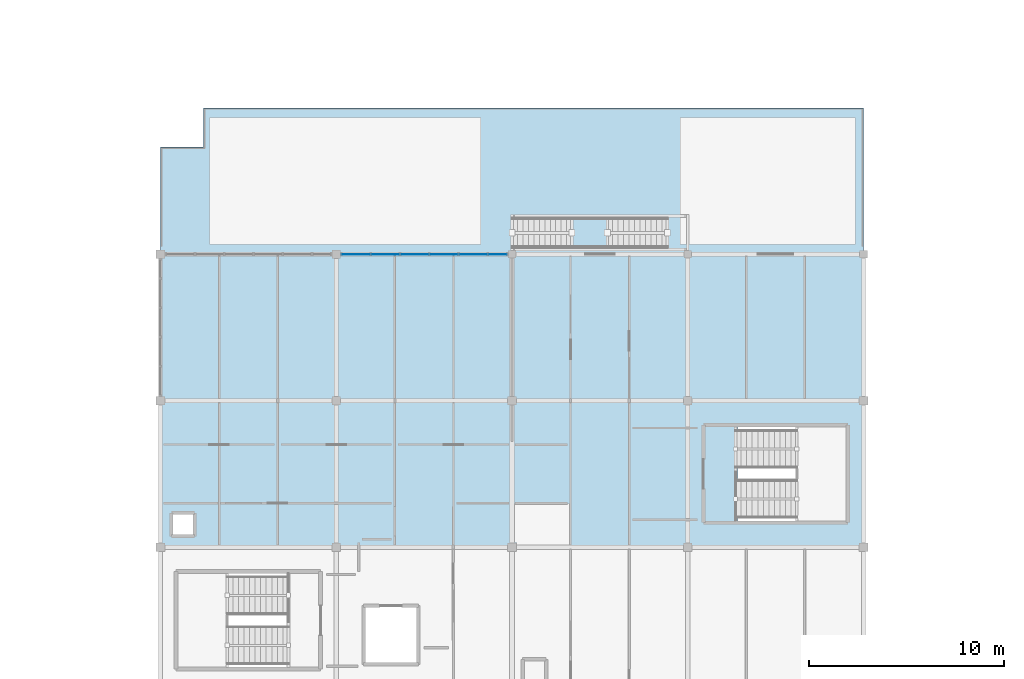
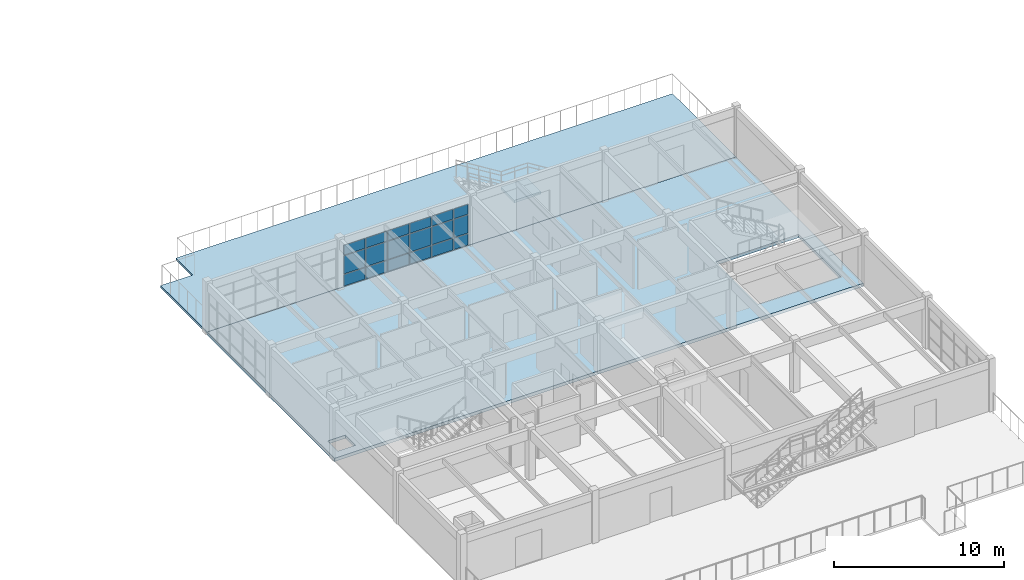
# One storey, part 30 of 45: 18 plates, 3 slabs, 2 elements without a shape of their own.
"""IFC4 building model written with IfcOpenShell, lengths in metres."""

from ifc_helpers import new_model, si_unit, direction, frame, origin, origin_2d, place, context, subcontext, project, spatial, polyline, rectangle, outline, extrude, material, layer, layer_set, type_object, element, aggregate, save


model = new_model("IFC4")

# Units and contexts
model_context = context("Model", 3, precision=1e-05, world=origin(), true_north=direction((0.0, 1.0)))
body_context = subcontext(model_context, "Body", "Model", "MODEL_VIEW")
ifc_project = project(units=[si_unit("LENGTHUNIT", "METRE"), si_unit("AREAUNIT", "SQUARE_METRE"), si_unit("VOLUMEUNIT", "CUBIC_METRE"), si_unit("PLANEANGLEUNIT", "RADIAN"), si_unit("MASSUNIT", "GRAM", prefix="KILO")], contexts=[model_context])

# Site, building, storey
site_placement = place(None, origin())
site = spatial("IfcSite", under=ifc_project, at=site_placement, CompositionType="ELEMENT")
building_placement = place(site_placement, origin())
building = spatial("IfcBuilding", under=site, at=building_placement, Name="Marnridge Secondary College", CompositionType="ELEMENT")
storey_placement = place(building_placement, frame((0.0, 0.0, 12.300048828125)))
storey = spatial("IfcBuildingStorey", under=building, at=storey_placement, Name="L03", CompositionType="ELEMENT", Elevation=12.300048828125)

# Curtain wall, plates
ifc_material_1 = material(Name="Thermally broken aluminium and low-E glazing", Category="aluminium")
ifc_layer_1 = layer(ifc_material_1, 0.159912109375)
ifc_layer_set_1 = layer_set([ifc_layer_1], Name="CW-MOD-1500")
curtain_wall_type = type_object("IfcCurtainWallType", Name="CW-MOD-1500", PredefinedType="NOTDEFINED", material=ifc_layer_set_1)
curtain_wall_placement = place(storey_placement, origin())
curtain_wall = element("IfcCurtainWall", 1, at=curtain_wall_placement, inside=storey, type_object=curtain_wall_type, Name="Unitised curtain wall CW-L03-115", PredefinedType="NOTDEFINED")
ifc_material_2 = material(Name="Double-glazed low-E argon unit", Category="glass")
ifc_layer_2 = layer(ifc_material_2, 0.028076171875)
ifc_layer_set_2 = layer_set([ifc_layer_2], Name="CWP-GLZ28")
plate_type = type_object("IfcPlateType", Name="CWP-GLZ28", PredefinedType="CURTAIN_PANEL", material=ifc_layer_set_2)
plate_1_placement = place(storey_placement, frame((64.009033203125, 75.0, 0.059814453125), z_axis=(0.0, 0.0, 1.0), x_axis=(1.0, 0.0, 0.0)))
plate_1 = element("IfcPlate", 2, at=plate_1_placement, type_object=plate_type, Name="CW-L03-115 panel 1.1", PredefinedType="CURTAIN_PANEL", context=body_context, shape_type="SweptSolid", body=[
    extrude(rectangle(XDim=1.43994140625, YDim=0.028076171875, at=origin_2d()), origin(), (0.0, 0.0, 1.0), 0.81005859375),
])
plate_2_placement = place(storey_placement, frame((64.009033203125, 75.0, 0.929931640625), z_axis=(0.0, 0.0, 1.0), x_axis=(1.0, 0.0, 0.0)))
plate_2 = element("IfcPlate", 3, at=plate_2_placement, type_object=plate_type, Name="CW-L03-115 panel 1.2", PredefinedType="CURTAIN_PANEL", context=body_context, shape_type="SweptSolid", body=[
    extrude(rectangle(XDim=1.43994140625, YDim=0.028076171875, at=origin_2d()), origin(), (0.0, 0.0, 1.0), 1.2900390625),
])
plate_3_placement = place(storey_placement, frame((64.009033203125, 75.0, 2.280029296875), z_axis=(0.0, 0.0, 1.0), x_axis=(1.0, 0.0, 0.0)))
plate_3 = element("IfcPlate", 4, at=plate_3_placement, type_object=plate_type, Name="CW-L03-115 panel 1.3", PredefinedType="CURTAIN_PANEL", context=body_context, shape_type="SweptSolid", body=[
    extrude(rectangle(XDim=1.43994140625, YDim=0.028076171875, at=origin_2d()), origin(), (0.0, 0.0, 1.0), 0.70703125),
])
plate_4_placement = place(storey_placement, frame((65.509033203125, 75.0, 0.059814453125), z_axis=(0.0, 0.0, 1.0), x_axis=(1.0, 0.0, 0.0)))
plate_4 = element("IfcPlate", 5, at=plate_4_placement, type_object=plate_type, Name="CW-L03-115 panel 2.1", PredefinedType="CURTAIN_PANEL", context=body_context, shape_type="SweptSolid", body=[
    extrude(rectangle(XDim=1.43994140625, YDim=0.028076171875, at=origin_2d()), origin(), (0.0, 0.0, 1.0), 0.81005859375),
])
plate_5_placement = place(storey_placement, frame((65.509033203125, 75.0, 0.929931640625), z_axis=(0.0, 0.0, 1.0), x_axis=(1.0, 0.0, 0.0)))
plate_5 = element("IfcPlate", 6, at=plate_5_placement, type_object=plate_type, Name="CW-L03-115 panel 2.2", PredefinedType="CURTAIN_PANEL", context=body_context, shape_type="SweptSolid", body=[
    extrude(rectangle(XDim=1.43994140625, YDim=0.028076171875, at=origin_2d()), origin(), (0.0, 0.0, 1.0), 1.2900390625),
])
plate_6_placement = place(storey_placement, frame((65.509033203125, 75.0, 2.280029296875), z_axis=(0.0, 0.0, 1.0), x_axis=(1.0, 0.0, 0.0)))
plate_6 = element("IfcPlate", 7, at=plate_6_placement, type_object=plate_type, Name="CW-L03-115 panel 2.3", PredefinedType="CURTAIN_PANEL", context=body_context, shape_type="SweptSolid", body=[
    extrude(rectangle(XDim=1.43994140625, YDim=0.028076171875, at=origin_2d()), origin(), (0.0, 0.0, 1.0), 0.70703125),
])
plate_7_placement = place(storey_placement, frame((67.009033203125, 75.0, 0.059814453125), z_axis=(0.0, 0.0, 1.0), x_axis=(1.0, 0.0, 0.0)))
plate_7 = element("IfcPlate", 8, at=plate_7_placement, type_object=plate_type, Name="CW-L03-115 panel 3.1", PredefinedType="CURTAIN_PANEL", context=body_context, shape_type="SweptSolid", body=[
    extrude(rectangle(XDim=1.43994140625, YDim=0.028076171875, at=origin_2d()), origin(), (0.0, 0.0, 1.0), 0.81005859375),
])
plate_8_placement = place(storey_placement, frame((67.009033203125, 75.0, 0.929931640625), z_axis=(0.0, 0.0, 1.0), x_axis=(1.0, 0.0, 0.0)))
plate_8 = element("IfcPlate", 9, at=plate_8_placement, type_object=plate_type, Name="CW-L03-115 panel 3.2", PredefinedType="CURTAIN_PANEL", context=body_context, shape_type="SweptSolid", body=[
    extrude(rectangle(XDim=1.43994140625, YDim=0.028076171875, at=origin_2d()), origin(), (0.0, 0.0, 1.0), 1.2900390625),
])
plate_9_placement = place(storey_placement, frame((67.009033203125, 75.0, 2.280029296875), z_axis=(0.0, 0.0, 1.0), x_axis=(1.0, 0.0, 0.0)))
plate_9 = element("IfcPlate", 10, at=plate_9_placement, type_object=plate_type, Name="CW-L03-115 panel 3.3", PredefinedType="CURTAIN_PANEL", context=body_context, shape_type="SweptSolid", body=[
    extrude(rectangle(XDim=1.43994140625, YDim=0.028076171875, at=origin_2d()), origin(), (0.0, 0.0, 1.0), 0.70703125),
])
plate_10_placement = place(storey_placement, frame((68.509033203125, 75.0, 0.059814453125), z_axis=(0.0, 0.0, 1.0), x_axis=(1.0, 0.0, 0.0)))
plate_10 = element("IfcPlate", 11, at=plate_10_placement, type_object=plate_type, Name="CW-L03-115 panel 4.1", PredefinedType="CURTAIN_PANEL", context=body_context, shape_type="SweptSolid", body=[
    extrude(rectangle(XDim=1.43994140625, YDim=0.028076171875, at=origin_2d()), origin(), (0.0, 0.0, 1.0), 0.81005859375),
])
plate_11_placement = place(storey_placement, frame((68.509033203125, 75.0, 0.929931640625), z_axis=(0.0, 0.0, 1.0), x_axis=(1.0, 0.0, 0.0)))
plate_11 = element("IfcPlate", 12, at=plate_11_placement, type_object=plate_type, Name="CW-L03-115 panel 4.2", PredefinedType="CURTAIN_PANEL", context=body_context, shape_type="SweptSolid", body=[
    extrude(rectangle(XDim=1.43994140625, YDim=0.028076171875, at=origin_2d()), origin(), (0.0, 0.0, 1.0), 1.2900390625),
])
plate_12_placement = place(storey_placement, frame((68.509033203125, 75.0, 2.280029296875), z_axis=(0.0, 0.0, 1.0), x_axis=(1.0, 0.0, 0.0)))
plate_12 = element("IfcPlate", 13, at=plate_12_placement, type_object=plate_type, Name="CW-L03-115 panel 4.3", PredefinedType="CURTAIN_PANEL", context=body_context, shape_type="SweptSolid", body=[
    extrude(rectangle(XDim=1.43994140625, YDim=0.028076171875, at=origin_2d()), origin(), (0.0, 0.0, 1.0), 0.70703125),
])
plate_13_placement = place(storey_placement, frame((70.009033203125, 75.0, 0.059814453125), z_axis=(0.0, 0.0, 1.0), x_axis=(1.0, 0.0, 0.0)))
plate_13 = element("IfcPlate", 14, at=plate_13_placement, type_object=plate_type, Name="CW-L03-115 panel 5.1", PredefinedType="CURTAIN_PANEL", context=body_context, shape_type="SweptSolid", body=[
    extrude(rectangle(XDim=1.43994140625, YDim=0.028076171875, at=origin_2d()), origin(), (0.0, 0.0, 1.0), 0.81005859375),
])
plate_14_placement = place(storey_placement, frame((70.009033203125, 75.0, 0.929931640625), z_axis=(0.0, 0.0, 1.0), x_axis=(1.0, 0.0, 0.0)))
plate_14 = element("IfcPlate", 15, at=plate_14_placement, type_object=plate_type, Name="CW-L03-115 panel 5.2", PredefinedType="CURTAIN_PANEL", context=body_context, shape_type="SweptSolid", body=[
    extrude(rectangle(XDim=1.43994140625, YDim=0.028076171875, at=origin_2d()), origin(), (0.0, 0.0, 1.0), 1.2900390625),
])
plate_15_placement = place(storey_placement, frame((70.009033203125, 75.0, 2.280029296875), z_axis=(0.0, 0.0, 1.0), x_axis=(1.0, 0.0, 0.0)))
plate_15 = element("IfcPlate", 16, at=plate_15_placement, type_object=plate_type, Name="CW-L03-115 panel 5.3", PredefinedType="CURTAIN_PANEL", context=body_context, shape_type="SweptSolid", body=[
    extrude(rectangle(XDim=1.43994140625, YDim=0.028076171875, at=origin_2d()), origin(), (0.0, 0.0, 1.0), 0.70703125),
])
plate_16_placement = place(storey_placement, frame((71.262451171875, 75.0, 0.059814453125), z_axis=(0.0, 0.0, 1.0), x_axis=(1.0, 0.0, 0.0)))
plate_16 = element("IfcPlate", 17, at=plate_16_placement, type_object=plate_type, Name="CW-L03-115 panel 6.1", PredefinedType="CURTAIN_PANEL", context=body_context, shape_type="SweptSolid", body=[
    extrude(rectangle(XDim=0.947021484375, YDim=0.028076171875, at=origin_2d()), origin(), (0.0, 0.0, 1.0), 0.81005859375),
])
plate_17_placement = place(storey_placement, frame((71.262451171875, 75.0, 0.929931640625), z_axis=(0.0, 0.0, 1.0), x_axis=(1.0, 0.0, 0.0)))
plate_17 = element("IfcPlate", 18, at=plate_17_placement, type_object=plate_type, Name="CW-L03-115 panel 6.2", PredefinedType="CURTAIN_PANEL", context=body_context, shape_type="SweptSolid", body=[
    extrude(rectangle(XDim=0.947021484375, YDim=0.028076171875, at=origin_2d()), origin(), (0.0, 0.0, 1.0), 1.2900390625),
])
plate_18_placement = place(storey_placement, frame((71.262451171875, 75.0, 2.280029296875), z_axis=(0.0, 0.0, 1.0), x_axis=(1.0, 0.0, 0.0)))
plate_18 = element("IfcPlate", 19, at=plate_18_placement, type_object=plate_type, Name="CW-L03-115 panel 6.3", PredefinedType="CURTAIN_PANEL", context=body_context, shape_type="SweptSolid", body=[
    extrude(rectangle(XDim=0.947021484375, YDim=0.028076171875, at=origin_2d()), origin(), (0.0, 0.0, 1.0), 0.70703125),
])
aggregate(curtain_wall, [plate_1, plate_2, plate_3, plate_4, plate_5, plate_6, plate_7, plate_8, plate_9, plate_10, plate_11, plate_12, plate_13, plate_14, plate_15, plate_16, plate_17, plate_18])

# Slabs
ifc_material_3 = material(Name="Cross-laminated timber CL7", Category="wood")
ifc_layer_3 = layer(ifc_material_3, 0.22998046875)
ifc_layer_set_3 = layer_set([ifc_layer_3], Name="SL-CLT-230")
slab_type_1 = type_object("IfcSlabType", Name="SL-CLT-230", PredefinedType="FLOOR", material=ifc_layer_set_3)
slab_1_placement = place(storey_placement, frame((0.0, 0.0, -0.22998046875)))
element("IfcSlab", 20, at=slab_1_placement, inside=storey, type_object=slab_type_1, Name="Floor slab SL-L03-040", PredefinedType="FLOOR", context=body_context, shape_type="SweptSolid", body=[
    extrude(outline(polyline([(90.0, 60.0), (54.0, 60.0), (54.0, 75.0), (90.0, 75.0), (90.0, 60.0)]), holes=[polyline([(83.550048828125, 61.25), (89.199951171875, 61.25), (89.199951171875, 66.25), (83.550048828125, 66.25), (83.550048828125, 61.25)]), polyline([(54.550048828125, 60.550048828125), (55.75, 60.550048828125), (55.75, 61.75), (54.550048828125, 61.75), (54.550048828125, 60.550048828125)])]), origin(), (0.0, 0.0, 1.0), 0.22998046875),
])
ifc_material_4 = material(Name="Cross-laminated timber CL5", Category="wood")
ifc_layer_4 = layer(ifc_material_4, 0.159912109375)
ifc_layer_set_4 = layer_set([ifc_layer_4], Name="SL-DECK-160")
slab_type_2 = type_object("IfcSlabType", Name="SL-DECK-160", PredefinedType="ROOF", material=ifc_layer_set_4)
slab_2_placement = place(storey_placement, frame((0.0, 0.0, -0.16015625)))
element("IfcSlab", 21, at=slab_2_placement, inside=storey, type_object=slab_type_2, Name="External deck slab SL-L03-058", PredefinedType="ROOF", context=body_context, shape_type="SweptSolid", body=[
    extrude(outline(polyline([(54.0, 75.0), (90.0, 75.0), (90.0, 82.5), (56.199951171875, 82.5), (56.199951171875, 80.5), (54.0, 80.5), (54.0, 75.0)])), origin(), (0.0, 0.0, 1.0), 0.16015625),
])

# Stair, slab
ifc_material_5 = material(Name="Precast concrete C40/50 (AS 3600 N40, 40 MPa)", Category="concrete")
stair_type = type_object("IfcStairType", Name="STZ1", PredefinedType="STRAIGHT_RUN_STAIR", material=ifc_material_5)
stair_placement = place(storey_placement, origin())
stair = element("IfcStair", 22, at=stair_placement, inside=storey, type_object=stair_type, Name="Exterior terrace stair ST-Z2", PredefinedType="STRAIGHT_RUN_STAIR")
ifc_material_6 = material(Name="Precast concrete C40/50 (AS 3600 N40, 40 MPa)", Category="concrete")
ifc_layer_5 = layer(ifc_material_6, 0.179931640625)
ifc_layer_set_5 = layer_set([ifc_layer_5], Name="SL-LAND-EXT180")
slab_type_3 = type_object("IfcSlabType", Name="SL-LAND-EXT180", PredefinedType="LANDING", material=ifc_layer_set_5)
slab_3_placement = place(storey_placement, frame((0.0, 0.0, 1.719970703125)))
slab_3 = element("IfcSlab", 23, at=slab_3_placement, type_object=slab_type_3, Name="ST-Z2 landing 1", PredefinedType="LANDING", context=body_context, shape_type="SweptSolid", body=[
    extrude(outline(polyline([(75.080078125, 75.300048828125), (76.8798828125, 75.300048828125), (76.8798828125, 76.89990234375), (75.080078125, 76.89990234375), (75.080078125, 75.300048828125)])), origin(), (0.0, 0.0, 1.0), 0.179931640625),
])
aggregate(stair, [slab_3])

save(model, "model.ifc")
